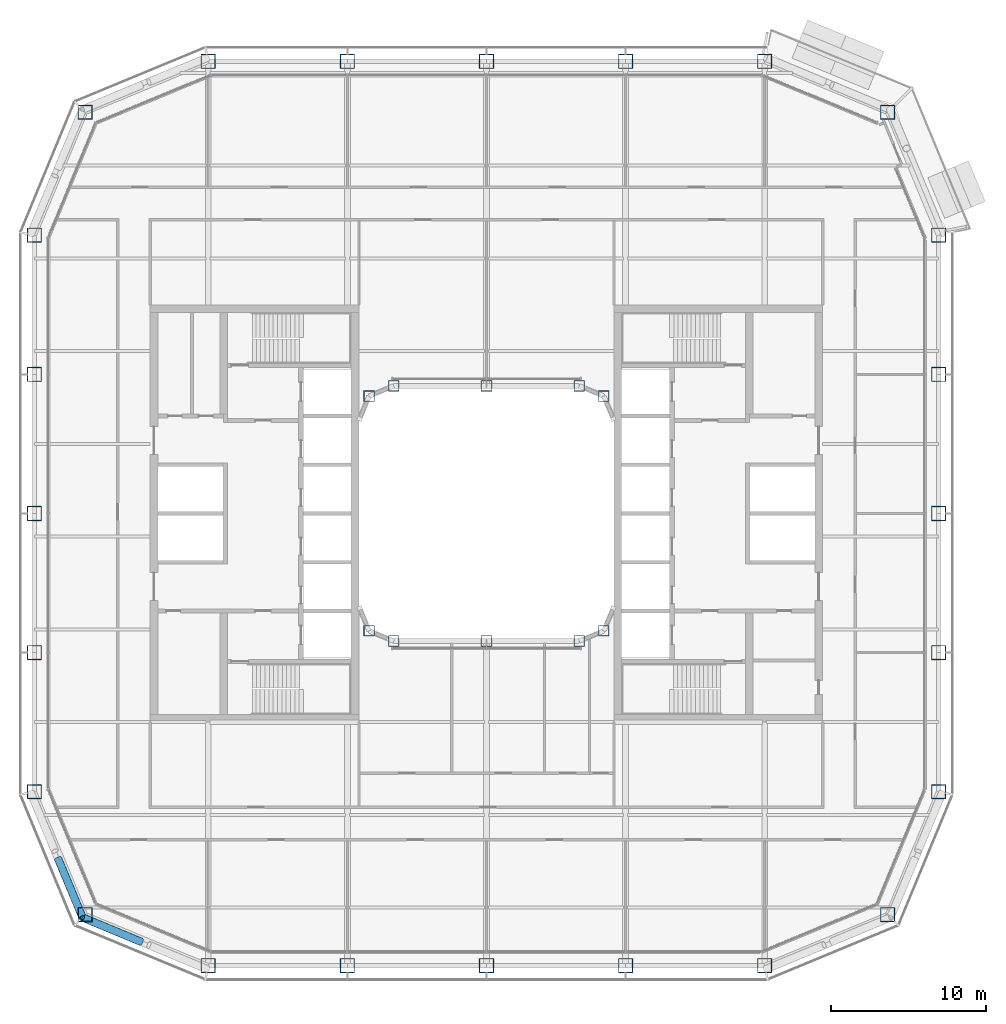
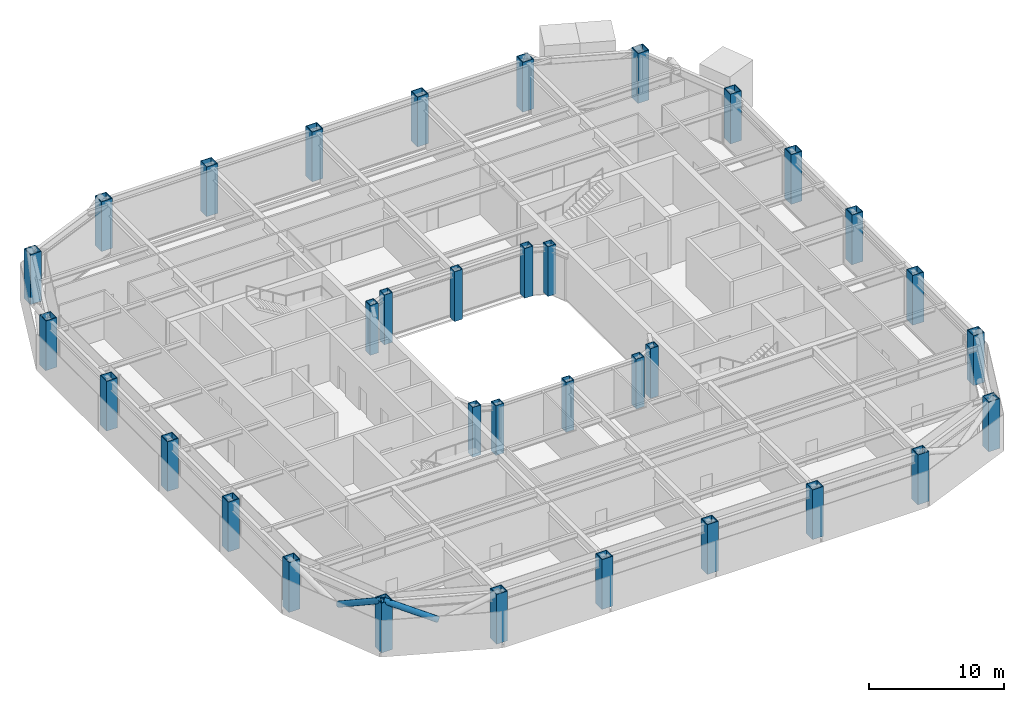
# One storey, part 1 of 23: 34 columns, 2 members.
"""IFC4 building model written with IfcOpenShell, lengths in metres."""

from ifc_helpers import new_model, si_unit, direction, frame, origin, origin_2d, place, context, subcontext, project, spatial, hollow_rectangle, hollow_circle, extrude, material, material_profile, profile_set, type_object, element, save


model = new_model("IFC4")

# Units and contexts
model_context = context("Model", 3, precision=1e-05, world=origin(), true_north=direction((0.0, 1.0)))
body_context = subcontext(model_context, "Body", "Model", "MODEL_VIEW")
ifc_project = project(units=[si_unit("LENGTHUNIT", "METRE"), si_unit("AREAUNIT", "SQUARE_METRE"), si_unit("VOLUMEUNIT", "CUBIC_METRE"), si_unit("PLANEANGLEUNIT", "RADIAN"), si_unit("MASSUNIT", "GRAM", prefix="KILO")], contexts=[model_context])

# Site, building, storey
site_placement = place(None, origin())
site = spatial("IfcSite", under=ifc_project, at=site_placement, CompositionType="ELEMENT")
building_placement = place(site_placement, origin())
building = spatial("IfcBuilding", under=site, at=building_placement, Name="Siwar Civic Tower", CompositionType="ELEMENT")
storey_placement = place(building_placement, frame((0.0, 0.0, 131.699951171875)))
storey = spatial("IfcBuildingStorey", under=building, at=storey_placement, Name="L28", CompositionType="ELEMENT", Elevation=131.699951171875)

# Columns
ifc_material_1 = material(Name="Steel S355", Category="steel")
ifc_material_profile_1 = material_profile(ifc_material_1, hollow_rectangle(XDim=0.949951171875, YDim=0.949951171875, WallThickness=0.054931640625, at=origin_2d()), Name="BOX950x950x55")
ifc_profile_set_1 = profile_set([ifc_material_profile_1], Name="Steel S355")
column_type_1 = type_object("IfcColumnType", Name="STR-COL-BOX950x950x55", PredefinedType="COLUMN", material=ifc_profile_set_1)
for number, where, z_axis, x_axis, name in (
    (1, (-18.0, -29.25, 0.0), (0.0, 0.0, 1.0), (1.0, 0.0, 0.0), "L28/col/S-0"),
    (2, (-9.0, -29.25, 0.0), (0.0, 0.0, 1.0), (1.0, 0.0, 0.0), "L28/col/S-1"),
    (3, (0.0, -29.25, 0.0), (0.0, 0.0, 1.0), (1.0, 0.0, 0.0), "L28/col/S-2"),
    (4, (9.0, -29.25, 0.0), (0.0, 0.0, 1.0), (1.0, 0.0, 0.0), "L28/col/S-3"),
    (5, (18.0, -29.25, 0.0), (0.0, 0.0, 1.0), (1.0, 0.0, 0.0), "L28/col/SE1-0"),
    (6, (25.954833984375, -25.954833984375, 0.0), (0.0, 0.0, 1.0), (1.0, 0.0, 0.0), "L28/col/SE2-0"),
    (7, (29.25, -18.0, 0.0), (0.0, 0.0, 1.0), (1.0, 0.0, 0.0), "L28/col/E-0"),
    (8, (29.25, -9.0, 0.0), (0.0, 0.0, 1.0), (1.0, 0.0, 0.0), "L28/col/E-1"),
    (9, (29.25, 0.0, 0.0), (0.0, 0.0, 1.0), (1.0, 0.0, 0.0), "L28/col/E-2"),
    (10, (29.25, 9.0, 0.0), (0.0, 0.0, 1.0), (1.0, 0.0, 0.0), "L28/col/E-3"),
    (11, (29.25, 18.0, 0.0), (0.0, 0.0, 1.0), (1.0, 0.0, 0.0), "L28/col/NE1-0"),
    (12, (25.954833984375, 25.954833984375, 0.0), (0.0, 0.0, 1.0), (1.0, 0.0, 0.0), "L28/col/NE2-0"),
    (13, (18.0, 29.25, 0.0), (0.0, 0.0, 1.0), (1.0, 0.0, 0.0), "L28/col/N-0"),
    (14, (9.0, 29.25, 0.0), (0.0, 0.0, 1.0), (1.0, 0.0, 0.0), "L28/col/N-1"),
    (15, (0.0, 29.25, 0.0), (0.0, 0.0, 1.0), (1.0, 0.0, 0.0), "L28/col/N-2"),
    (16, (-9.0, 29.25, 0.0), (0.0, 0.0, 1.0), (1.0, 0.0, 0.0), "L28/col/N-3"),
    (17, (-18.0, 29.25, 0.0), (0.0, 0.0, 1.0), (1.0, 0.0, 0.0), "L28/col/NW1-0"),
    (18, (-25.954833984375, 25.954833984375, 0.0), (0.0, 0.0, 1.0), (1.0, 0.0, 0.0), "L28/col/NW2-0"),
    (19, (-29.25, 18.0, 0.0), (0.0, 0.0, 1.0), (1.0, 0.0, 0.0), "L28/col/W-0"),
    (20, (-29.25, 9.0, 0.0), (0.0, 0.0, 1.0), (1.0, 0.0, 0.0), "L28/col/W-1"),
    (21, (-29.25, 0.0, 0.0), (0.0, 0.0, 1.0), (1.0, 0.0, 0.0), "L28/col/W-2"),
    (22, (-29.25, -9.0, 0.0), (0.0, 0.0, 1.0), (1.0, 0.0, 0.0), "L28/col/W-3"),
    (23, (-29.25, -18.0, 0.0), (0.0, 0.0, 1.0), (1.0, 0.0, 0.0), "L28/col/SW1-0"),
    (24, (-25.954833984375, -25.954833984375, 0.0), (0.0, 0.0, 1.0), (1.0, 0.0, 0.0), "L28/col/SW2-0"),
):
    element("IfcColumn", number, at=place(storey_placement, frame(where, z_axis=z_axis, x_axis=x_axis)), inside=storey, type_object=column_type_1, Name=name, PredefinedType="COLUMN", context=body_context, shape_type="SweptSolid", body=[
        extrude(hollow_rectangle(XDim=0.949951171875, YDim=0.949951171875, WallThickness=0.054931640625, at=origin_2d()), origin(), (0.0, 0.0, 1.0), 4.5),
    ])
ifc_material_2 = material(Name="Steel S355", Category="steel")
ifc_material_profile_2 = material_profile(ifc_material_2, hollow_rectangle(XDim=0.699951171875, YDim=0.699951171875, WallThickness=0.0400390625, at=origin_2d()), Name="BOX700x700x40")
ifc_profile_set_2 = profile_set([ifc_material_profile_2], Name="Steel S355")
column_type_2 = type_object("IfcColumnType", Name="STR-ICOL-BOX700x700x40", PredefinedType="COLUMN", material=ifc_profile_set_2)
for number, where, z_axis, x_axis, name in (
    (25, (-7.591064453125, -7.591064453125, 0.0), (0.0, 0.0, 1.0), (1.0, 0.0, 0.0), "L28/col/IS-0"),
    (26, (-6.0, -8.25, 0.0), (0.0, 0.0, 1.0), (1.0, 0.0, 0.0), "L28/col/IS-1"),
    (27, (0.0, -8.25, 0.0), (0.0, 0.0, 1.0), (1.0, 0.0, 0.0), "L28/col/IS-2"),
    (28, (6.0, -8.25, 0.0), (0.0, 0.0, 1.0), (1.0, 0.0, 0.0), "L28/col/IS-3"),
    (29, (7.591064453125, -7.591064453125, 0.0), (0.0, 0.0, 1.0), (1.0, 0.0, 0.0), "L28/col/IS-4"),
    (30, (-7.591064453125, 7.591064453125, 0.0), (0.0, 0.0, 1.0), (1.0, 0.0, 0.0), "L28/col/IN-0"),
    (31, (-6.0, 8.25, 0.0), (0.0, 0.0, 1.0), (1.0, 0.0, 0.0), "L28/col/IN-1"),
    (32, (0.0, 8.25, 0.0), (0.0, 0.0, 1.0), (1.0, 0.0, 0.0), "L28/col/IN-2"),
    (33, (6.0, 8.25, 0.0), (0.0, 0.0, 1.0), (1.0, 0.0, 0.0), "L28/col/IN-3"),
    (34, (7.591064453125, 7.591064453125, 0.0), (0.0, 0.0, 1.0), (1.0, 0.0, 0.0), "L28/col/IN-4"),
):
    element("IfcColumn", number, at=place(storey_placement, frame(where, z_axis=z_axis, x_axis=x_axis)), inside=storey, type_object=column_type_2, Name=name, PredefinedType="COLUMN", context=body_context, shape_type="SweptSolid", body=[
        extrude(hollow_rectangle(XDim=0.699951171875, YDim=0.699951171875, WallThickness=0.0400390625, at=origin_2d()), origin(), (0.0, 0.0, 1.0), 4.5),
    ])

# Members
ifc_material_3 = material(Name="Steel S355", Category="steel")
ifc_material_profile_3 = material_profile(ifc_material_3, hollow_circle(Radius=0.25390625, WallThickness=0.02490234375, at=origin_2d()), Name="CHS508x25")
ifc_profile_set_3 = profile_set([ifc_material_profile_3], Name="Steel S355")
member_type = type_object("IfcMemberType", Name="STR-BR-CHS508x25", PredefinedType="BRACE", material=ifc_profile_set_3)
for number, where, z_axis, x_axis, name in (
    (35, (-22.342529296875, -27.70849609375, 2.390625), (-0.821163134736, 0.341670737976, 0.457112910516), (-0.384154943021, -0.923268638995, 0.0), "L28/brc/BSW1-7-0-3"),
    (36, (-27.70849609375, -22.342529296875, 2.390625), (0.341670737976, -0.821163134736, 0.457112910516), (0.923268638995, 0.384154943021, 0.0), "L28/brc/BSW1-7-0-5"),
):
    element("IfcMember", number, at=place(storey_placement, frame(where, z_axis=z_axis, x_axis=x_axis)), inside=storey, type_object=member_type, Name=name, PredefinedType="BRACE", context=body_context, shape_type="SweptSolid", body=[
        extrude(hollow_circle(Radius=0.25390625, WallThickness=0.02490234375, at=origin_2d()), origin(), (0.0, 0.0, 1.0), 4.614501953125),
    ])

save(model, "model.ifc")
